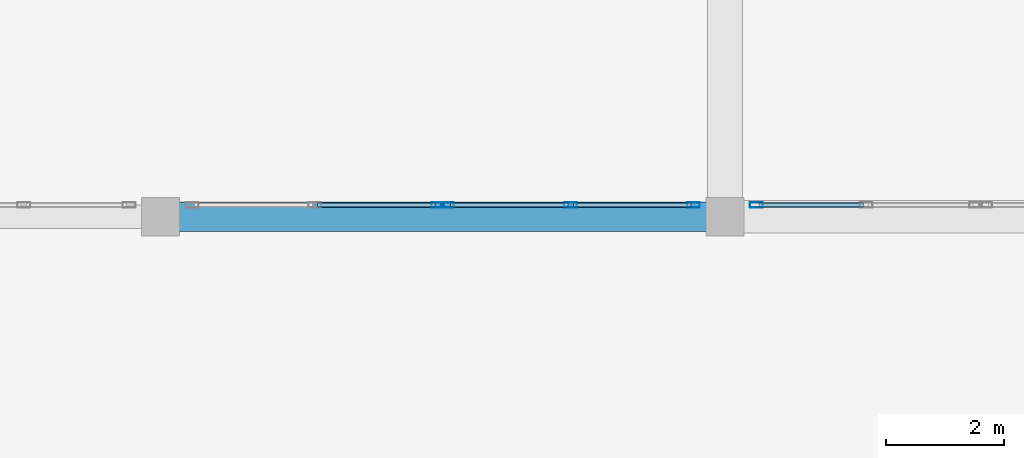
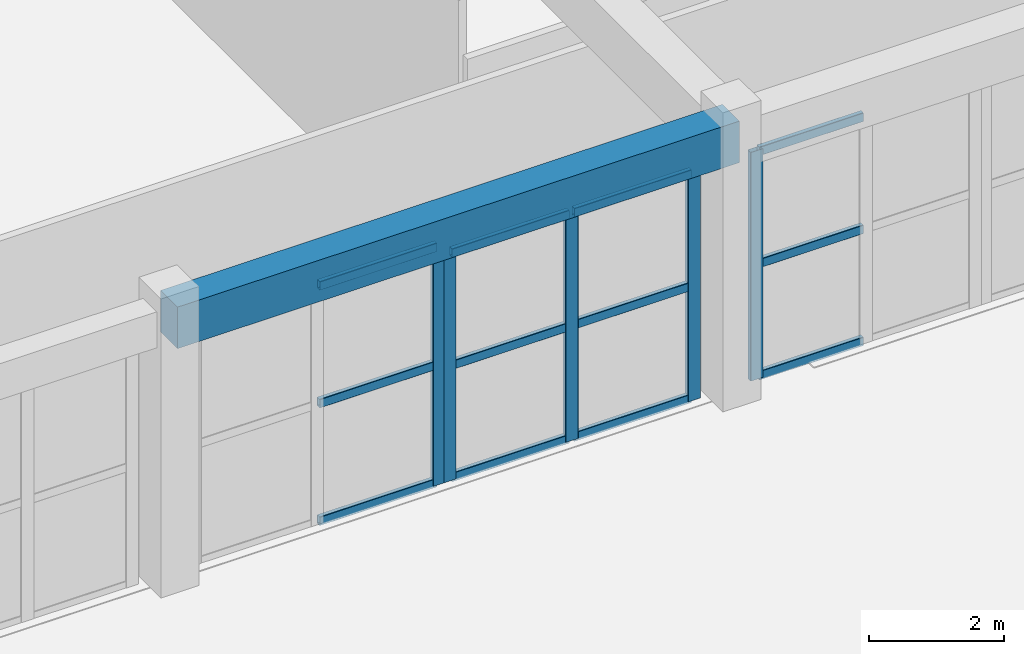
# One storey, part 26 of 98: 17 members, 1 beam, 3 elements without a shape of their own.
"""IFC4 building model written with IfcOpenShell, lengths in metres."""

from ifc_helpers import new_model, si_unit, direction, frame, origin, origin_2d, place, context, subcontext, project, spatial, rectangle, hollow_rectangle, extrude, material, layer, layer_set, material_profile, profile_set, type_object, element, aggregate, save


model = new_model("IFC4")

# Units and contexts
model_context = context("Model", 3, precision=1e-05, world=origin(), true_north=direction((0.0, 1.0)))
body_context = subcontext(model_context, "Body", "Model", "MODEL_VIEW")
ifc_project = project(units=[si_unit("LENGTHUNIT", "METRE"), si_unit("AREAUNIT", "SQUARE_METRE"), si_unit("VOLUMEUNIT", "CUBIC_METRE"), si_unit("PLANEANGLEUNIT", "RADIAN"), si_unit("MASSUNIT", "GRAM", prefix="KILO")], contexts=[model_context])

# Site, building, storey
site_placement = place(None, origin())
site = spatial("IfcSite", under=ifc_project, at=site_placement, CompositionType="ELEMENT")
building_placement = place(site_placement, origin())
building = spatial("IfcBuilding", under=site, at=building_placement, Name="Tarnavel Promenade Courthouse", CompositionType="ELEMENT")
storey_placement = place(building_placement, origin())
storey = spatial("IfcBuildingStorey", under=building, at=storey_placement, Name="L01", CompositionType="ELEMENT", Elevation=0.0)

# Beam
ifc_material_1 = material(Name="Concrete C40/50", Category="concrete")
ifc_material_profile_1 = material_profile(ifc_material_1, rectangle(XDim=0.5, YDim=0.75, at=origin_2d()), Name="RC 500x750")
ifc_profile_set_1 = profile_set([ifc_material_profile_1], Name="Concrete C40/50")
beam_type = type_object("IfcBeamType", Name="Concrete C40/50 BM-RC-500x750 (RC 500x750)", PredefinedType="T_BEAM", material=ifc_profile_set_1)
beam_placement = place(storey_placement, frame((92.39990234375, 46.800048828125, 4.719970703125), z_axis=(1.0, 0.0, 0.0), x_axis=(0.0, 1.0, 0.0)))
element("IfcBeam", 1, at=beam_placement, inside=storey, type_object=beam_type, Name="L01 Primary Longitudinal Beam 0624", PredefinedType="T_BEAM", context=body_context, shape_type="SweptSolid", body=[
    extrude(rectangle(XDim=0.5, YDim=0.75, at=origin_2d()), origin(), (0.0, 0.0, 1.0), 9.60009765625),
])

# Curtain wall, member
ifc_material_2 = material(Name="Thermally Broken Anodised Aluminium Curtain Wall System", Category="aluminium")
ifc_layer = layer(ifc_material_2, 0.239990234375)
ifc_layer_set = layer_set([ifc_layer], Name="Thermally Broken Anodised Aluminium Curtain Wall System")
curtain_wall_type = type_object("IfcCurtainWallType", Name="Thermally Broken Aluminium Triple-Glazed Curtain Wall CW-WG-S", PredefinedType="NOTDEFINED", material=ifc_layer_set)
curtain_wall_1_placement = place(storey_placement, origin())
curtain_wall_1 = element("IfcCurtainWall", 2, at=curtain_wall_1_placement, inside=storey, type_object=curtain_wall_type, Name="L01 Winter-Garden South Solar Curtain Wall 055", PredefinedType="NOTDEFINED")
ifc_material_3 = material(Name="Thermally Broken Anodised Aluminium Frame", Category="aluminium")
ifc_material_profile_2 = material_profile(ifc_material_3, hollow_rectangle(XDim=0.090087890625, YDim=0.219970703125, WallThickness=0.0048828125, InnerFilletRadius=0.0048828125, OuterFilletRadius=0.010009765625, at=origin_2d()), Name="CWM 220x90x5")
ifc_profile_set_2 = profile_set([ifc_material_profile_2], Name="Thermally Broken Anodised Aluminium Frame")
member_type_1 = type_object("IfcMemberType", Name="Thermally Broken Anodised Aluminium CWM-175 (CWM 220x90x5)", PredefinedType="MULLION", material=ifc_profile_set_2)
member_1_placement = place(storey_placement, frame((97.114990234375, 47.0, 0.0), z_axis=(0.0, 0.0, 1.0), x_axis=(0.0, 1.0, 0.0)))
member_1 = element("IfcMember", 3, at=member_1_placement, type_object=member_type_1, Name="CW-02 mullion 3", PredefinedType="MULLION", context=body_context, shape_type="SweptSolid", body=[
    extrude(hollow_rectangle(XDim=0.090087890625, YDim=0.219970703125, WallThickness=0.0048828125, InnerFilletRadius=0.0048828125, OuterFilletRadius=0.010009765625, at=origin_2d()), origin(), (0.0, 0.0, 1.0), 4.330078125),
])

# Curtain wall, members
curtain_wall_2_placement = place(storey_placement, origin())
curtain_wall_2 = element("IfcCurtainWall", 4, at=curtain_wall_2_placement, inside=storey, type_object=curtain_wall_type, Name="L01 Winter-Garden South Solar Curtain Wall 056", PredefinedType="NOTDEFINED")
member_2_placement = place(storey_placement, frame((97.284912109375, 47.0, 0.0), z_axis=(0.0, 0.0, 1.0), x_axis=(0.0, 1.0, 0.0)))
member_2 = element("IfcMember", 5, at=member_2_placement, type_object=member_type_1, Name="CW-02 mullion 1", PredefinedType="MULLION", context=body_context, shape_type="SweptSolid", body=[
    extrude(hollow_rectangle(XDim=0.090087890625, YDim=0.219970703125, WallThickness=0.0048828125, InnerFilletRadius=0.0048828125, OuterFilletRadius=0.010009765625, at=origin_2d()), origin(), (0.0, 0.0, 1.0), 4.1298828125),
])
member_3_placement = place(storey_placement, frame((99.375, 47.0, 0.0), z_axis=(0.0, 0.0, 1.0), x_axis=(0.0, 1.0, 0.0)))
member_3 = element("IfcMember", 6, at=member_3_placement, type_object=member_type_1, Name="CW-02 mullion 2", PredefinedType="MULLION", context=body_context, shape_type="SweptSolid", body=[
    extrude(hollow_rectangle(XDim=0.090087890625, YDim=0.219970703125, WallThickness=0.0048828125, InnerFilletRadius=0.0048828125, OuterFilletRadius=0.010009765625, at=origin_2d()), origin(), (0.0, 0.0, 1.0), 4.1298828125),
])
member_4_placement = place(storey_placement, frame((101.465087890625, 47.0, 0.0), z_axis=(0.0, 0.0, 1.0), x_axis=(0.0, 1.0, 0.0)))
member_4 = element("IfcMember", 7, at=member_4_placement, type_object=member_type_1, Name="CW-02 mullion 3", PredefinedType="MULLION", context=body_context, shape_type="SweptSolid", body=[
    extrude(hollow_rectangle(XDim=0.090087890625, YDim=0.219970703125, WallThickness=0.0048828125, InnerFilletRadius=0.0048828125, OuterFilletRadius=0.010009765625, at=origin_2d()), origin(), (0.0, 0.0, 1.0), 4.1298828125),
])

# Curtain wall, member
curtain_wall_3_placement = place(storey_placement, origin())
curtain_wall_3 = element("IfcCurtainWall", 8, at=curtain_wall_3_placement, inside=storey, type_object=curtain_wall_type, Name="L01 Winter-Garden South Solar Curtain Wall 057", PredefinedType="NOTDEFINED")
member_5_placement = place(storey_placement, frame((102.534912109375, 47.0, 0.0), z_axis=(0.0, 0.0, 1.0), x_axis=(0.0, 1.0, 0.0)))
member_5 = element("IfcMember", 9, at=member_5_placement, type_object=member_type_1, Name="CW-02 mullion 1", PredefinedType="MULLION", context=body_context, shape_type="SweptSolid", body=[
    extrude(hollow_rectangle(XDim=0.090087890625, YDim=0.219970703125, WallThickness=0.0048828125, InnerFilletRadius=0.0048828125, OuterFilletRadius=0.010009765625, at=origin_2d()), origin(), (0.0, 0.0, 1.0), 4.1298828125),
])

# Member
ifc_material_profile_3 = material_profile(ifc_material_3, hollow_rectangle(XDim=0.080078125, YDim=0.159912109375, WallThickness=0.0048828125, InnerFilletRadius=0.0048828125, OuterFilletRadius=0.010009765625, at=origin_2d()), Name="CWT 160x80x5")
ifc_profile_set_3 = profile_set([ifc_material_profile_3], Name="Thermally Broken Anodised Aluminium Frame")
member_type_2 = type_object("IfcMemberType", Name="Thermally Broken Anodised Aluminium CWT-145 (CWT 160x80x5)", PredefinedType="USERDEFINED", material=ifc_profile_set_3)
member_6_placement = place(storey_placement, frame((95.070068359375, 47.0, 0.0400390625), z_axis=(1.0, 0.0, 0.0), x_axis=(0.0, 1.0, 0.0)))
member_6 = element("IfcMember", 10, at=member_6_placement, type_object=member_type_2, Name="CW-02 transom 2.1", ObjectType="TRANSOM", PredefinedType="USERDEFINED", context=body_context, shape_type="SweptSolid", body=[
    extrude(hollow_rectangle(XDim=0.080078125, YDim=0.159912109375, WallThickness=0.0048828125, InnerFilletRadius=0.0048828125, OuterFilletRadius=0.010009765625, at=origin_2d()), origin(), (0.0, 0.0, 1.0), 2.0),
])

member_7_placement = place(storey_placement, frame((95.070068359375, 47.0, 2.1650390625), z_axis=(1.0, 0.0, 0.0), x_axis=(0.0, 1.0, 0.0)))
member_7 = element("IfcMember", 11, at=member_7_placement, type_object=member_type_2, Name="CW-02 transom 2.2", ObjectType="TRANSOM", PredefinedType="USERDEFINED", context=body_context, shape_type="SweptSolid", body=[
    extrude(hollow_rectangle(XDim=0.080078125, YDim=0.159912109375, WallThickness=0.0048828125, InnerFilletRadius=0.0048828125, OuterFilletRadius=0.010009765625, at=origin_2d()), origin(), (0.0, 0.0, 1.0), 2.0),
])

member_8_placement = place(storey_placement, frame((95.070068359375, 47.0, 4.2900390625), z_axis=(1.0, 0.0, 0.0), x_axis=(0.0, 1.0, 0.0)))
member_8 = element("IfcMember", 12, at=member_8_placement, type_object=member_type_2, Name="CW-02 transom 2.3", ObjectType="TRANSOM", PredefinedType="USERDEFINED", context=body_context, shape_type="SweptSolid", body=[
    extrude(hollow_rectangle(XDim=0.080078125, YDim=0.159912109375, WallThickness=0.0048828125, InnerFilletRadius=0.0048828125, OuterFilletRadius=0.010009765625, at=origin_2d()), origin(), (0.0, 0.0, 1.0), 2.0),
])

aggregate(curtain_wall_1, [member_1, member_6, member_7, member_8])

member_9_placement = place(storey_placement, frame((97.330078125, 47.0, 0.0400390625), z_axis=(1.0, 0.0, 0.0), x_axis=(0.0, 1.0, 0.0)))
member_9 = element("IfcMember", 13, at=member_9_placement, type_object=member_type_2, Name="CW-02 transom 1.1", ObjectType="TRANSOM", PredefinedType="USERDEFINED", context=body_context, shape_type="SweptSolid", body=[
    extrude(hollow_rectangle(XDim=0.080078125, YDim=0.159912109375, WallThickness=0.0048828125, InnerFilletRadius=0.0048828125, OuterFilletRadius=0.010009765625, at=origin_2d()), origin(), (0.0, 0.0, 1.0), 2.0),
])

member_10_placement = place(storey_placement, frame((97.330078125, 47.0, 2.06494140625), z_axis=(1.0, 0.0, 0.0), x_axis=(0.0, 1.0, 0.0)))
member_10 = element("IfcMember", 14, at=member_10_placement, type_object=member_type_2, Name="CW-02 transom 1.2", ObjectType="TRANSOM", PredefinedType="USERDEFINED", context=body_context, shape_type="SweptSolid", body=[
    extrude(hollow_rectangle(XDim=0.080078125, YDim=0.159912109375, WallThickness=0.0048828125, InnerFilletRadius=0.0048828125, OuterFilletRadius=0.010009765625, at=origin_2d()), origin(), (0.0, 0.0, 1.0), 2.0),
])

member_11_placement = place(storey_placement, frame((97.330078125, 47.0, 4.090087890625), z_axis=(1.0, 0.0, 0.0), x_axis=(0.0, 1.0, 0.0)))
member_11 = element("IfcMember", 15, at=member_11_placement, type_object=member_type_2, Name="CW-02 transom 1.3", ObjectType="TRANSOM", PredefinedType="USERDEFINED", context=body_context, shape_type="SweptSolid", body=[
    extrude(hollow_rectangle(XDim=0.080078125, YDim=0.159912109375, WallThickness=0.0048828125, InnerFilletRadius=0.0048828125, OuterFilletRadius=0.010009765625, at=origin_2d()), origin(), (0.0, 0.0, 1.0), 2.0),
])

member_12_placement = place(storey_placement, frame((99.419921875, 47.0, 0.0400390625), z_axis=(1.0, 0.0, 0.0), x_axis=(0.0, 1.0, 0.0)))
member_12 = element("IfcMember", 16, at=member_12_placement, type_object=member_type_2, Name="CW-02 transom 2.1", ObjectType="TRANSOM", PredefinedType="USERDEFINED", context=body_context, shape_type="SweptSolid", body=[
    extrude(hollow_rectangle(XDim=0.080078125, YDim=0.159912109375, WallThickness=0.0048828125, InnerFilletRadius=0.0048828125, OuterFilletRadius=0.010009765625, at=origin_2d()), origin(), (0.0, 0.0, 1.0), 2.0),
])

member_13_placement = place(storey_placement, frame((99.419921875, 47.0, 2.06494140625), z_axis=(1.0, 0.0, 0.0), x_axis=(0.0, 1.0, 0.0)))
member_13 = element("IfcMember", 17, at=member_13_placement, type_object=member_type_2, Name="CW-02 transom 2.2", ObjectType="TRANSOM", PredefinedType="USERDEFINED", context=body_context, shape_type="SweptSolid", body=[
    extrude(hollow_rectangle(XDim=0.080078125, YDim=0.159912109375, WallThickness=0.0048828125, InnerFilletRadius=0.0048828125, OuterFilletRadius=0.010009765625, at=origin_2d()), origin(), (0.0, 0.0, 1.0), 2.0),
])

member_14_placement = place(storey_placement, frame((99.419921875, 47.0, 4.090087890625), z_axis=(1.0, 0.0, 0.0), x_axis=(0.0, 1.0, 0.0)))
member_14 = element("IfcMember", 18, at=member_14_placement, type_object=member_type_2, Name="CW-02 transom 2.3", ObjectType="TRANSOM", PredefinedType="USERDEFINED", context=body_context, shape_type="SweptSolid", body=[
    extrude(hollow_rectangle(XDim=0.080078125, YDim=0.159912109375, WallThickness=0.0048828125, InnerFilletRadius=0.0048828125, OuterFilletRadius=0.010009765625, at=origin_2d()), origin(), (0.0, 0.0, 1.0), 2.0),
])

aggregate(curtain_wall_2, [member_2, member_3, member_4, member_9, member_10, member_11, member_12, member_13, member_14])

member_15_placement = place(storey_placement, frame((102.580078125, 47.0, 0.0400390625), z_axis=(1.0, 0.0, 0.0), x_axis=(0.0, 1.0, 0.0)))
member_15 = element("IfcMember", 19, at=member_15_placement, type_object=member_type_2, Name="CW-02 transom 1.1", ObjectType="TRANSOM", PredefinedType="USERDEFINED", context=body_context, shape_type="SweptSolid", body=[
    extrude(hollow_rectangle(XDim=0.080078125, YDim=0.159912109375, WallThickness=0.0048828125, InnerFilletRadius=0.0048828125, OuterFilletRadius=0.010009765625, at=origin_2d()), origin(), (0.0, 0.0, 1.0), 1.77490234375),
])

member_16_placement = place(storey_placement, frame((102.580078125, 47.0, 2.06494140625), z_axis=(1.0, 0.0, 0.0), x_axis=(0.0, 1.0, 0.0)))
member_16 = element("IfcMember", 20, at=member_16_placement, type_object=member_type_2, Name="CW-02 transom 1.2", ObjectType="TRANSOM", PredefinedType="USERDEFINED", context=body_context, shape_type="SweptSolid", body=[
    extrude(hollow_rectangle(XDim=0.080078125, YDim=0.159912109375, WallThickness=0.0048828125, InnerFilletRadius=0.0048828125, OuterFilletRadius=0.010009765625, at=origin_2d()), origin(), (0.0, 0.0, 1.0), 1.77490234375),
])

member_17_placement = place(storey_placement, frame((102.580078125, 47.0, 4.090087890625), z_axis=(1.0, 0.0, 0.0), x_axis=(0.0, 1.0, 0.0)))
member_17 = element("IfcMember", 21, at=member_17_placement, type_object=member_type_2, Name="CW-02 transom 1.3", ObjectType="TRANSOM", PredefinedType="USERDEFINED", context=body_context, shape_type="SweptSolid", body=[
    extrude(hollow_rectangle(XDim=0.080078125, YDim=0.159912109375, WallThickness=0.0048828125, InnerFilletRadius=0.0048828125, OuterFilletRadius=0.010009765625, at=origin_2d()), origin(), (0.0, 0.0, 1.0), 1.77490234375),
])

aggregate(curtain_wall_3, [member_5, member_15, member_16, member_17])

save(model, "model.ifc")
